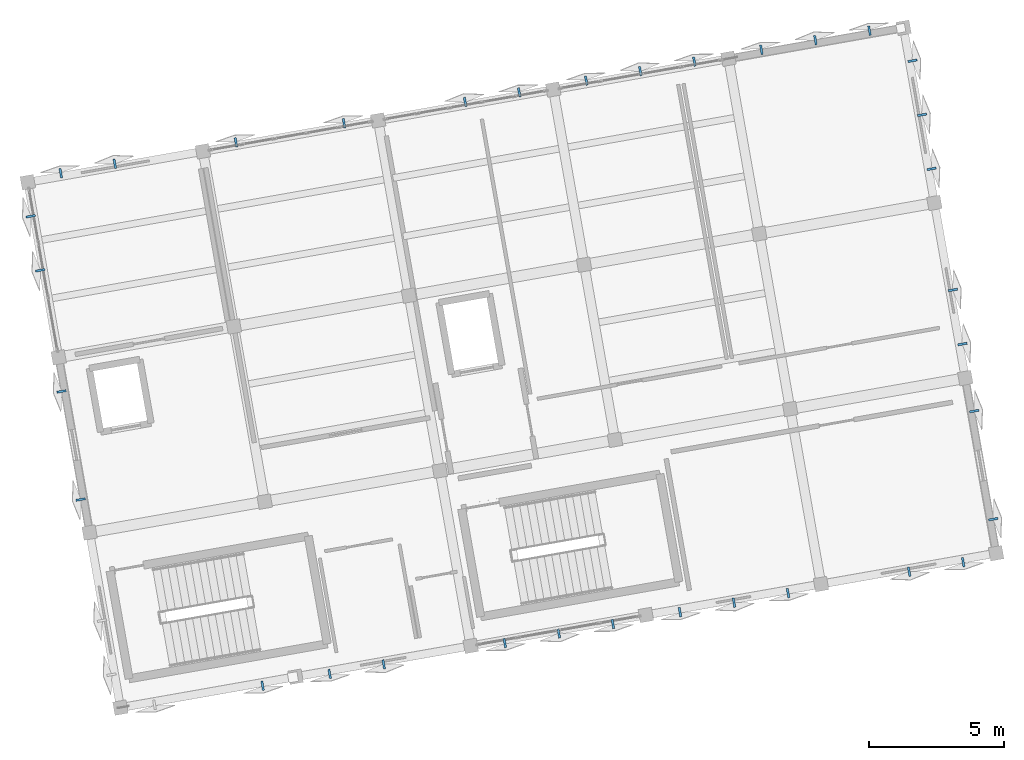
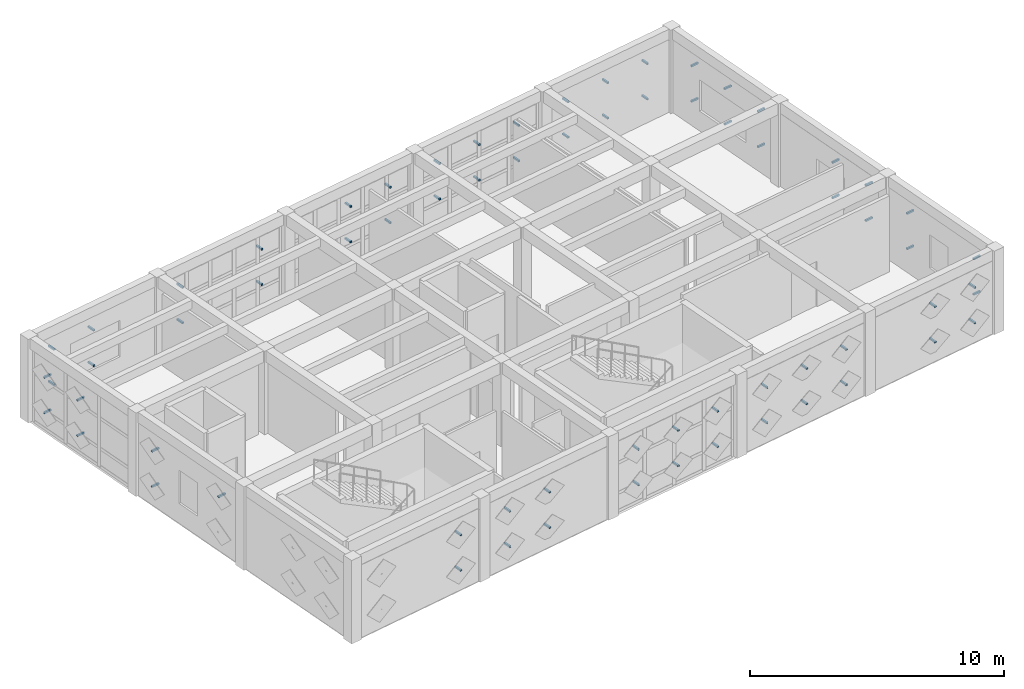
# One storey, part 13 of 15: 67 discrete accessories.
"""IFC4 building model written with IfcOpenShell, lengths in metres."""

from ifc_helpers import new_model, si_unit, direction, frame, origin, origin_2d, place, context, subcontext, project, spatial, hollow_rectangle, extrude, material, type_object, element, save


model = new_model("IFC4")

# Units and contexts
model_context = context("Model", 3, precision=1e-05, world=origin(), true_north=direction((0.0, 1.0)))
body_context = subcontext(model_context, "Body", "Model", "MODEL_VIEW")
ifc_project = project(units=[si_unit("LENGTHUNIT", "METRE"), si_unit("AREAUNIT", "SQUARE_METRE"), si_unit("VOLUMEUNIT", "CUBIC_METRE"), si_unit("PLANEANGLEUNIT", "RADIAN"), si_unit("MASSUNIT", "GRAM", prefix="KILO")], contexts=[model_context])

# Site, building, storey
site_placement = place(None, origin())
site = spatial("IfcSite", under=ifc_project, at=site_placement, CompositionType="ELEMENT")
building_placement = place(site_placement, origin())
building = spatial("IfcBuilding", under=site, at=building_placement, Name="Kharisveld Research Institute", CompositionType="ELEMENT")
storey_placement = place(building_placement, frame((0.0, 0.0, 40.800048828125)))
storey = spatial("IfcBuildingStorey", under=building, at=storey_placement, Name="L09", CompositionType="ELEMENT", Elevation=40.800048828125)

# Discrete accessories
ifc_material = material(Name="Steel S355JR", Category="steel")
discrete_accessory_type = type_object("IfcDiscreteAccessoryType", Name="BKT_ST_260", PredefinedType="BRACKET")
discrete_accessory_placement = place(storey_placement, frame((3.8935546875, 42.764404296875, 2.75), z_axis=(-0.984783558818, -0.173785333909, 0.0), x_axis=(0.173785333909, -0.984783558818, 0.0)))
element("IfcDiscreteAccessory", 1, at=discrete_accessory_placement, inside=storey, type_object=discrete_accessory_type, material=ifc_material, Name="BKT-SHD:V1:L09:W1:S0C1", ObjectType="BRACKET", PredefinedType="BRACKET", context=body_context, shape_type="SweptSolid", body=[
    extrude(hollow_rectangle(XDim=0.080078125, YDim=0.080078125, WallThickness=0.0048828125, at=origin_2d()), origin(), (0.0, 0.0, 1.0), 0.349853515625),
])
for number, where, z_axis, x_axis, name in (
    (2, (3.186279296875, 46.775634765625, 1.050048828125), (-0.984804615622, -0.173665969752, 0.0), (0.173665969752, -0.984804615622, 0.0), "BKT-SHD:V1:L09:W1:S2C0"),
    (3, (3.186279296875, 46.775634765625, 2.75), (-0.984804615622, -0.173665969752, 0.0), (0.173665969752, -0.984804615622, 0.0), "BKT-SHD:V1:L09:W1:S2C1"),
):
    element("IfcDiscreteAccessory", number, at=place(storey_placement, frame(where, z_axis=z_axis, x_axis=x_axis)), inside=storey, type_object=discrete_accessory_type, material=ifc_material, Name=name, ObjectType="BRACKET", PredefinedType="BRACKET", context=body_context, shape_type="SweptSolid", body=[
        extrude(hollow_rectangle(XDim=0.080078125, YDim=0.080078125, WallThickness=0.0048828125, at=origin_2d()), origin(), (0.0, 0.0, 1.0), 0.35009765625),
    ])
for number, where, z_axis, x_axis, name in (
    (4, (2.393798828125, 51.269775390625, 1.050048828125), (-0.984783558818, -0.173785333909, 0.0), (0.173785333909, -0.984783558818, 0.0), "BKT-SHD:V1:L09:W2:S1C0"),
    (5, (2.393798828125, 51.269775390625, 2.75), (-0.984783558818, -0.173785333909, 0.0), (0.173785333909, -0.984783558818, 0.0), "BKT-SHD:V1:L09:W2:S1C1"),
):
    element("IfcDiscreteAccessory", number, at=place(storey_placement, frame(where, z_axis=z_axis, x_axis=x_axis)), inside=storey, type_object=discrete_accessory_type, material=ifc_material, Name=name, ObjectType="BRACKET", PredefinedType="BRACKET", context=body_context, shape_type="SweptSolid", body=[
        extrude(hollow_rectangle(XDim=0.080078125, YDim=0.080078125, WallThickness=0.0048828125, at=origin_2d()), origin(), (0.0, 0.0, 1.0), 0.349853515625),
    ])
for number, where, z_axis, x_axis, name in (
    (6, (2.040283203125, 53.275390625, 1.050048828125), (-0.984804615622, -0.173665969752, 0.0), (0.173665969752, -0.984804615622, 0.0), "BKT-SHD:V1:L09:W2:S2C0"),
    (7, (2.040283203125, 53.275390625, 2.75), (-0.984804615622, -0.173665969752, 0.0), (0.173665969752, -0.984804615622, 0.0), "BKT-SHD:V1:L09:W2:S2C1"),
    (8, (3.016357421875, 54.66943359375, 1.050048828125), (-0.173665969752, 0.984804615622, 0.0), (-0.984804615622, -0.173665969752, 0.0), "BKT-SHD:V1:L09:N0:S0C0"),
    (9, (3.016357421875, 54.66943359375, 2.75), (-0.173665969752, 0.984804615622, 0.0), (-0.984804615622, -0.173665969752, 0.0), "BKT-SHD:V1:L09:N0:S0C1"),
    (10, (5.02197265625, 55.023193359375, 1.050048828125), (-0.173665969752, 0.984804615622, 0.0), (-0.984804615622, -0.173665969752, 0.0), "BKT-SHD:V1:L09:N0:S1C0"),
    (11, (5.02197265625, 55.023193359375, 2.75), (-0.173665969752, 0.984804615622, 0.0), (-0.984804615622, -0.173665969752, 0.0), "BKT-SHD:V1:L09:N0:S1C1"),
):
    element("IfcDiscreteAccessory", number, at=place(storey_placement, frame(where, z_axis=z_axis, x_axis=x_axis)), inside=storey, type_object=discrete_accessory_type, material=ifc_material, Name=name, ObjectType="BRACKET", PredefinedType="BRACKET", context=body_context, shape_type="SweptSolid", body=[
        extrude(hollow_rectangle(XDim=0.080078125, YDim=0.080078125, WallThickness=0.0048828125, at=origin_2d()), origin(), (0.0, 0.0, 1.0), 0.35009765625),
    ])
for number, where, z_axis, x_axis, name in (
    (12, (9.51611328125, 55.815673828125, 1.050048828125), (-0.173785333909, 0.984783558818, 0.0), (-0.984783558818, -0.173785333909, 0.0), "BKT-SHD:V1:L09:N1:S0C0"),
    (13, (9.51611328125, 55.815673828125, 2.75), (-0.173785333909, 0.984783558818, 0.0), (-0.984783558818, -0.173785333909, 0.0), "BKT-SHD:V1:L09:N1:S0C1"),
):
    element("IfcDiscreteAccessory", number, at=place(storey_placement, frame(where, z_axis=z_axis, x_axis=x_axis)), inside=storey, type_object=discrete_accessory_type, material=ifc_material, Name=name, ObjectType="BRACKET", PredefinedType="BRACKET", context=body_context, shape_type="SweptSolid", body=[
        extrude(hollow_rectangle(XDim=0.080078125, YDim=0.080078125, WallThickness=0.0048828125, at=origin_2d()), origin(), (0.0, 0.0, 1.0), 0.349853515625),
    ])
for number, where, z_axis, x_axis, name in (
    (14, (13.527587890625, 56.52294921875, 1.050048828125), (-0.173665969752, 0.984804615622, 0.0), (-0.984804615622, -0.173665969752, 0.0), "BKT-SHD:V1:L09:N1:S2C0"),
    (15, (13.527587890625, 56.52294921875, 2.75), (-0.173665969752, 0.984804615622, 0.0), (-0.984804615622, -0.173665969752, 0.0), "BKT-SHD:V1:L09:N1:S2C1"),
    (16, (18.021484375, 57.315185546875, 1.050048828125), (-0.173665969752, 0.984804615622, 0.0), (-0.984804615622, -0.173665969752, 0.0), "BKT-SHD:V1:L09:N2:S1C0"),
    (17, (18.021484375, 57.315185546875, 2.75), (-0.173665969752, 0.984804615622, 0.0), (-0.984804615622, -0.173665969752, 0.0), "BKT-SHD:V1:L09:N2:S1C1"),
    (18, (20.02734375, 57.6689453125, 1.050048828125), (-0.173665969752, 0.984804615622, 0.0), (-0.984804615622, -0.173665969752, 0.0), "BKT-SHD:V1:L09:N2:S2C0"),
    (19, (20.02734375, 57.6689453125, 2.75), (-0.173665969752, 0.984804615622, 0.0), (-0.984804615622, -0.173665969752, 0.0), "BKT-SHD:V1:L09:N2:S2C1"),
    (20, (22.515625, 58.107666015625, 1.050048828125), (-0.173665969752, 0.984804615622, 0.0), (-0.984804615622, -0.173665969752, 0.0), "BKT-SHD:V1:L09:N3:S0C0"),
    (21, (22.515625, 58.107666015625, 2.75), (-0.173665969752, 0.984804615622, 0.0), (-0.984804615622, -0.173665969752, 0.0), "BKT-SHD:V1:L09:N3:S0C1"),
    (22, (24.521240234375, 58.46142578125, 1.050048828125), (-0.173665969752, 0.984804615622, 0.0), (-0.984804615622, -0.173665969752, 0.0), "BKT-SHD:V1:L09:N3:S1C0"),
    (23, (24.521240234375, 58.46142578125, 2.75), (-0.173665969752, 0.984804615622, 0.0), (-0.984804615622, -0.173665969752, 0.0), "BKT-SHD:V1:L09:N3:S1C1"),
    (24, (26.52685546875, 58.81494140625, 1.050048828125), (-0.172989428414, 0.984923681133, 0.0), (-0.984923681133, -0.172989428414, 0.0), "BKT-SHD:V1:L09:N3:S2C0"),
    (25, (26.52685546875, 58.81494140625, 2.75), (-0.172989428414, 0.984923681133, 0.0), (-0.984923681133, -0.172989428414, 0.0), "BKT-SHD:V1:L09:N3:S2C1"),
):
    element("IfcDiscreteAccessory", number, at=place(storey_placement, frame(where, z_axis=z_axis, x_axis=x_axis)), inside=storey, type_object=discrete_accessory_type, material=ifc_material, Name=name, ObjectType="BRACKET", PredefinedType="BRACKET", context=body_context, shape_type="SweptSolid", body=[
        extrude(hollow_rectangle(XDim=0.080078125, YDim=0.080078125, WallThickness=0.0048828125, at=origin_2d()), origin(), (0.0, 0.0, 1.0), 0.35009765625),
    ])
for number, where, z_axis, x_axis, name in (
    (26, (29.01513671875, 59.25390625, 1.050048828125), (-0.173108356353, 0.984902785538, 0.0), (-0.984902785538, -0.173108356353, 0.0), "BKT-SHD:V1:L09:N4:S0C0"),
    (27, (29.01513671875, 59.25390625, 2.75), (-0.173108356353, 0.984902785538, 0.0), (-0.984902785538, -0.173108356353, 0.0), "BKT-SHD:V1:L09:N4:S0C1"),
):
    element("IfcDiscreteAccessory", number, at=place(storey_placement, frame(where, z_axis=z_axis, x_axis=x_axis)), inside=storey, type_object=discrete_accessory_type, material=ifc_material, Name=name, ObjectType="BRACKET", PredefinedType="BRACKET", context=body_context, shape_type="SweptSolid", body=[
        extrude(hollow_rectangle(XDim=0.080078125, YDim=0.080078125, WallThickness=0.0048828125, at=origin_2d()), origin(), (0.0, 0.0, 1.0), 0.349853515625),
    ])
for number, where, z_axis, x_axis, name in (
    (28, (31.02099609375, 59.607421875, 1.050048828125), (-0.173665969752, 0.984804615622, 0.0), (-0.984804615622, -0.173665969752, 0.0), "BKT-SHD:V1:L09:N4:S1C0"),
    (29, (31.02099609375, 59.607421875, 2.75), (-0.173665969752, 0.984804615622, 0.0), (-0.984804615622, -0.173665969752, 0.0), "BKT-SHD:V1:L09:N4:S1C1"),
    (30, (33.026611328125, 59.961181640625, 1.050048828125), (-0.173665969752, 0.984804615622, 0.0), (-0.984804615622, -0.173665969752, 0.0), "BKT-SHD:V1:L09:N4:S2C0"),
    (31, (33.026611328125, 59.961181640625, 2.75), (-0.173665969752, 0.984804615622, 0.0), (-0.984804615622, -0.173665969752, 0.0), "BKT-SHD:V1:L09:N4:S2C1"),
    (32, (34.420654296875, 58.985107421875, 1.050048828125), (0.984804615622, 0.173665969752, 0.0), (-0.173665969752, 0.984804615622, 0.0), "BKT-SHD:V1:L09:E3:S0C0"),
    (33, (34.420654296875, 58.985107421875, 2.75), (0.984804615622, 0.173665969752, 0.0), (-0.173665969752, 0.984804615622, 0.0), "BKT-SHD:V1:L09:E3:S0C1"),
    (34, (34.7744140625, 56.979248046875, 1.050048828125), (0.984804615622, 0.173665969752, 0.0), (-0.173665969752, 0.984804615622, 0.0), "BKT-SHD:V1:L09:E3:S1C0"),
    (35, (34.7744140625, 56.979248046875, 2.75), (0.984804615622, 0.173665969752, 0.0), (-0.173665969752, 0.984804615622, 0.0), "BKT-SHD:V1:L09:E3:S1C1"),
    (36, (35.1279296875, 54.9736328125, 1.050048828125), (0.984804615622, 0.173665969752, 0.0), (-0.173665969752, 0.984804615622, 0.0), "BKT-SHD:V1:L09:E3:S2C0"),
    (37, (35.1279296875, 54.9736328125, 2.75), (0.984804615622, 0.173665969752, 0.0), (-0.173665969752, 0.984804615622, 0.0), "BKT-SHD:V1:L09:E3:S2C1"),
    (38, (35.92041015625, 50.4794921875, 1.050048828125), (0.984804615622, 0.173665969752, 0.0), (-0.173665969752, 0.984804615622, 0.0), "BKT-SHD:V1:L09:E2:S1C0"),
    (39, (35.92041015625, 50.4794921875, 2.75), (0.984804615622, 0.173665969752, 0.0), (-0.173665969752, 0.984804615622, 0.0), "BKT-SHD:V1:L09:E2:S1C1"),
    (40, (36.274169921875, 48.473876953125, 1.050048828125), (0.984804615622, 0.173665969752, 0.0), (-0.173665969752, 0.984804615622, 0.0), "BKT-SHD:V1:L09:E2:S2C0"),
    (41, (36.274169921875, 48.473876953125, 2.75), (0.984804615622, 0.173665969752, 0.0), (-0.173665969752, 0.984804615622, 0.0), "BKT-SHD:V1:L09:E2:S2C1"),
    (42, (36.712890625, 45.985595703125, 1.050048828125), (0.984804615622, 0.173665969752, 0.0), (-0.173665969752, 0.984804615622, 0.0), "BKT-SHD:V1:L09:E1:S0C0"),
    (43, (36.712890625, 45.985595703125, 2.75), (0.984804615622, 0.173665969752, 0.0), (-0.173665969752, 0.984804615622, 0.0), "BKT-SHD:V1:L09:E1:S0C1"),
    (44, (37.420166015625, 41.97412109375, 1.050048828125), (0.984804615622, 0.173665969752, 0.0), (-0.173665969752, 0.984804615622, 0.0), "BKT-SHD:V1:L09:E1:S2C0"),
    (45, (37.420166015625, 41.97412109375, 2.75), (0.984804615622, 0.173665969752, 0.0), (-0.173665969752, 0.984804615622, 0.0), "BKT-SHD:V1:L09:E1:S2C1"),
    (46, (36.444091796875, 40.580078125, 1.050048828125), (0.173665969752, -0.984804615622, 0.0), (0.984804615622, 0.173665969752, 0.0), "BKT-SHD:V1:L09:S5:S0C0"),
    (47, (36.444091796875, 40.580078125, 2.75), (0.173665969752, -0.984804615622, 0.0), (0.984804615622, 0.173665969752, 0.0), "BKT-SHD:V1:L09:S5:S0C1"),
):
    element("IfcDiscreteAccessory", number, at=place(storey_placement, frame(where, z_axis=z_axis, x_axis=x_axis)), inside=storey, type_object=discrete_accessory_type, material=ifc_material, Name=name, ObjectType="BRACKET", PredefinedType="BRACKET", context=body_context, shape_type="SweptSolid", body=[
        extrude(hollow_rectangle(XDim=0.080078125, YDim=0.080078125, WallThickness=0.0048828125, at=origin_2d()), origin(), (0.0, 0.0, 1.0), 0.35009765625),
    ])
for number, where, z_axis, x_axis, name in (
    (48, (34.4384765625, 40.226318359375, 1.050048828125), (0.173785333909, -0.984783558818, 0.0), (0.984783558818, 0.173785333909, 0.0), "BKT-SHD:V1:L09:S5:S1C0"),
    (49, (34.4384765625, 40.226318359375, 2.75), (0.173785333909, -0.984783558818, 0.0), (0.984783558818, 0.173785333909, 0.0), "BKT-SHD:V1:L09:S5:S1C1"),
):
    element("IfcDiscreteAccessory", number, at=place(storey_placement, frame(where, z_axis=z_axis, x_axis=x_axis)), inside=storey, type_object=discrete_accessory_type, material=ifc_material, Name=name, ObjectType="BRACKET", PredefinedType="BRACKET", context=body_context, shape_type="SweptSolid", body=[
        extrude(hollow_rectangle(XDim=0.080078125, YDim=0.080078125, WallThickness=0.0048828125, at=origin_2d()), origin(), (0.0, 0.0, 1.0), 0.349853515625),
    ])
for number, where, z_axis, x_axis, name in (
    (50, (29.9443359375, 39.43408203125, 1.050048828125), (0.173665969752, -0.984804615622, 0.0), (0.984804615622, 0.173665969752, 0.0), "BKT-SHD:V1:L09:S4:S0C0"),
    (51, (29.9443359375, 39.43408203125, 2.75), (0.173665969752, -0.984804615622, 0.0), (0.984804615622, 0.173665969752, 0.0), "BKT-SHD:V1:L09:S4:S0C1"),
    (52, (27.938720703125, 39.080322265625, 1.050048828125), (0.173665969752, -0.984804615622, 0.0), (0.984804615622, 0.173665969752, 0.0), "BKT-SHD:V1:L09:S4:S1C0"),
    (53, (27.938720703125, 39.080322265625, 2.75), (0.173665969752, -0.984804615622, 0.0), (0.984804615622, 0.173665969752, 0.0), "BKT-SHD:V1:L09:S4:S1C1"),
    (54, (25.932861328125, 38.726806640625, 1.050048828125), (0.173665969752, -0.984804615622, 0.0), (0.984804615622, 0.173665969752, 0.0), "BKT-SHD:V1:L09:S4:S2C0"),
    (55, (25.932861328125, 38.726806640625, 2.75), (0.173665969752, -0.984804615622, 0.0), (0.984804615622, 0.173665969752, 0.0), "BKT-SHD:V1:L09:S4:S2C1"),
):
    element("IfcDiscreteAccessory", number, at=place(storey_placement, frame(where, z_axis=z_axis, x_axis=x_axis)), inside=storey, type_object=discrete_accessory_type, material=ifc_material, Name=name, ObjectType="BRACKET", PredefinedType="BRACKET", context=body_context, shape_type="SweptSolid", body=[
        extrude(hollow_rectangle(XDim=0.080078125, YDim=0.080078125, WallThickness=0.0048828125, at=origin_2d()), origin(), (0.0, 0.0, 1.0), 0.35009765625),
    ])
for number, where, z_axis, x_axis, name in (
    (56, (23.444580078125, 38.287841796875, 1.050048828125), (0.173785333909, -0.984783558818, 0.0), (0.984783558818, 0.173785333909, 0.0), "BKT-SHD:V1:L09:S3:S0C0"),
    (57, (23.444580078125, 38.287841796875, 2.75), (0.173785333909, -0.984783558818, 0.0), (0.984783558818, 0.173785333909, 0.0), "BKT-SHD:V1:L09:S3:S0C1"),
):
    element("IfcDiscreteAccessory", number, at=place(storey_placement, frame(where, z_axis=z_axis, x_axis=x_axis)), inside=storey, type_object=discrete_accessory_type, material=ifc_material, Name=name, ObjectType="BRACKET", PredefinedType="BRACKET", context=body_context, shape_type="SweptSolid", body=[
        extrude(hollow_rectangle(XDim=0.080078125, YDim=0.080078125, WallThickness=0.0048828125, at=origin_2d()), origin(), (0.0, 0.0, 1.0), 0.349853515625),
    ])
for number, where, z_axis, x_axis, name in (
    (58, (21.43896484375, 37.934326171875, 1.050048828125), (0.173665969752, -0.984804615622, 0.0), (0.984804615622, 0.173665969752, 0.0), "BKT-SHD:V1:L09:S3:S1C0"),
    (59, (21.43896484375, 37.934326171875, 2.75), (0.173665969752, -0.984804615622, 0.0), (0.984804615622, 0.173665969752, 0.0), "BKT-SHD:V1:L09:S3:S1C1"),
    (60, (19.43310546875, 37.58056640625, 1.050048828125), (0.173665969752, -0.984804615622, 0.0), (0.984804615622, 0.173665969752, 0.0), "BKT-SHD:V1:L09:S3:S2C0"),
    (61, (19.43310546875, 37.58056640625, 2.75), (0.173665969752, -0.984804615622, 0.0), (0.984804615622, 0.173665969752, 0.0), "BKT-SHD:V1:L09:S3:S2C1"),
):
    element("IfcDiscreteAccessory", number, at=place(storey_placement, frame(where, z_axis=z_axis, x_axis=x_axis)), inside=storey, type_object=discrete_accessory_type, material=ifc_material, Name=name, ObjectType="BRACKET", PredefinedType="BRACKET", context=body_context, shape_type="SweptSolid", body=[
        extrude(hollow_rectangle(XDim=0.080078125, YDim=0.080078125, WallThickness=0.0048828125, at=origin_2d()), origin(), (0.0, 0.0, 1.0), 0.35009765625),
    ])
for number, where, z_axis, x_axis, name in (
    (62, (14.939208984375, 36.7880859375, 1.050048828125), (0.173785333909, -0.984783558818, 0.0), (0.984783558818, 0.173785333909, 0.0), "BKT-SHD:V1:L09:S2:S1C0"),
    (63, (14.939208984375, 36.7880859375, 2.75), (0.173785333909, -0.984783558818, 0.0), (0.984783558818, 0.173785333909, 0.0), "BKT-SHD:V1:L09:S2:S1C1"),
):
    element("IfcDiscreteAccessory", number, at=place(storey_placement, frame(where, z_axis=z_axis, x_axis=x_axis)), inside=storey, type_object=discrete_accessory_type, material=ifc_material, Name=name, ObjectType="BRACKET", PredefinedType="BRACKET", context=body_context, shape_type="SweptSolid", body=[
        extrude(hollow_rectangle(XDim=0.080078125, YDim=0.080078125, WallThickness=0.0048828125, at=origin_2d()), origin(), (0.0, 0.0, 1.0), 0.349853515625),
    ])
for number, where, z_axis, x_axis, name in (
    (64, (12.933349609375, 36.4345703125, 1.050048828125), (0.173665969752, -0.984804615622, 0.0), (0.984804615622, 0.173665969752, 0.0), "BKT-SHD:V1:L09:S2:S2C0"),
    (65, (12.933349609375, 36.4345703125, 2.75), (0.173665969752, -0.984804615622, 0.0), (0.984804615622, 0.173665969752, 0.0), "BKT-SHD:V1:L09:S2:S2C1"),
    (66, (10.445068359375, 35.995849609375, 1.050048828125), (0.173665969752, -0.984804615622, 0.0), (0.984804615622, 0.173665969752, 0.0), "BKT-SHD:V1:L09:S1:S0C0"),
    (67, (10.445068359375, 35.995849609375, 2.75), (0.173665969752, -0.984804615622, 0.0), (0.984804615622, 0.173665969752, 0.0), "BKT-SHD:V1:L09:S1:S0C1"),
):
    element("IfcDiscreteAccessory", number, at=place(storey_placement, frame(where, z_axis=z_axis, x_axis=x_axis)), inside=storey, type_object=discrete_accessory_type, material=ifc_material, Name=name, ObjectType="BRACKET", PredefinedType="BRACKET", context=body_context, shape_type="SweptSolid", body=[
        extrude(hollow_rectangle(XDim=0.080078125, YDim=0.080078125, WallThickness=0.0048828125, at=origin_2d()), origin(), (0.0, 0.0, 1.0), 0.35009765625),
    ])

save(model, "model.ifc")
